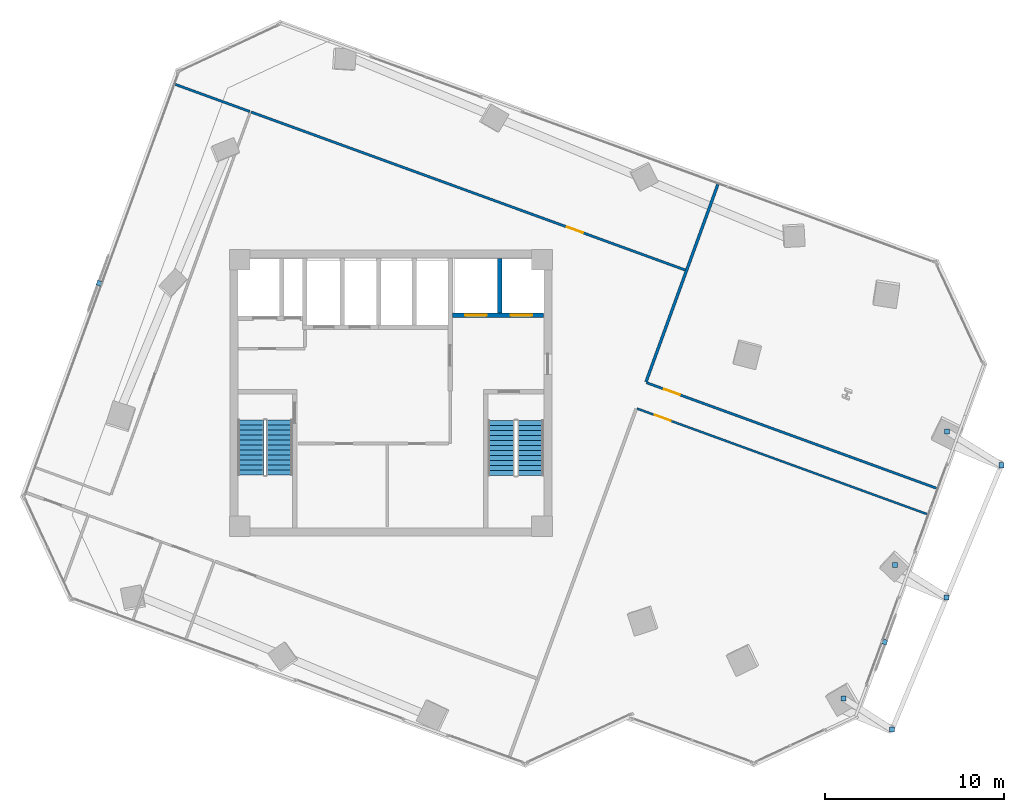
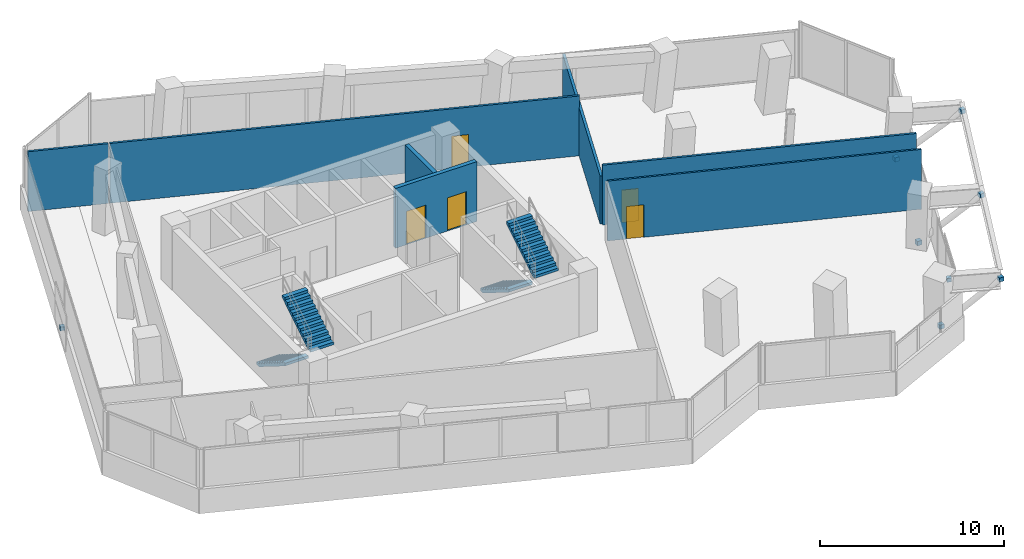
# One storey, part 17 of 21: 8 discrete accessories, 7 walls, 5 doors, 4 stair flights, 5 openings, 2 elements without a shape of their own.
"""IFC4 building model written with IfcOpenShell, lengths in metres."""

from ifc_helpers import new_model, si_unit, direction, frame, frame_2d, origin, origin_2d, place, context, subcontext, project, spatial, polyline, rectangle, outline, extrude, source, transform, mapped, material, layer, layer_set, type_object, element, fill, aggregate, save


model = new_model("IFC4")

# Units and contexts
model_context = context("Model", 3, precision=1e-05, world=origin(), true_north=direction((0.0, 1.0)))
body_context = subcontext(model_context, "Body", "Model", "MODEL_VIEW")
ifc_project = project(units=[si_unit("LENGTHUNIT", "METRE"), si_unit("AREAUNIT", "SQUARE_METRE"), si_unit("VOLUMEUNIT", "CUBIC_METRE"), si_unit("PLANEANGLEUNIT", "RADIAN"), si_unit("MASSUNIT", "GRAM", prefix="KILO")], contexts=[model_context])

# Site, building, storey
site_placement = place(None, origin())
site = spatial("IfcSite", under=ifc_project, at=site_placement, CompositionType="ELEMENT")
building_placement = place(site_placement, origin())
building = spatial("IfcBuilding", under=site, at=building_placement, Name="Torre Montelarca", CompositionType="ELEMENT")
storey_placement = place(building_placement, frame((0.0, 0.0, 137.199951171875)))
storey = spatial("IfcBuildingStorey", under=building, at=storey_placement, Name="L30", CompositionType="ELEMENT", Elevation=137.199951171875)

# Wall, openings, doors
ifc_material_1 = material(Name="Concrete C40/50", Category="concrete")
ifc_layer_1 = layer(ifc_material_1, 0.25, Name="Concrete C40/50", Category="concrete")
ifc_layer_set_1 = layer_set([ifc_layer_1], Name="Concrete C40/50")
wall_type_1 = type_object("IfcWallType", Name="CW-SHAFT-250", PredefinedType="SHEAR", material=ifc_layer_set_1)
wall_1_placement = place(storey_placement, frame((21.449951171875, 36.35009765625, 0.0), z_axis=(0.0, 0.0, 1.0), x_axis=(1.0, 0.0, 0.0)))
wall_1 = element("IfcWall", 1, at=wall_1_placement, inside=storey, type_object=wall_type_1, Name="L30 Core Shear Wall SH-FF-S", PredefinedType="SHEAR", context=body_context, shape_type="SweptSolid", body=[
    extrude(rectangle(XDim=5.090087890625, YDim=0.25, at=frame_2d((2.544921875, 0.0))), origin(), (0.0, 0.0, 1.0), 3.9599609375),
])
opening_1_placement = place(wall_1_placement, frame((0.699951171875, 0.0, 0.0)))
opening_1 = element("IfcOpeningElement", 2, at=opening_1_placement, cuts=wall_1, Name="Opening LD-120", PredefinedType="OPENING", context=body_context, shape_type="SweptSolid", body=[
    extrude(rectangle(XDim=1.199951171875, YDim=2.199951171875, at=frame_2d((0.60009765625, 1.10009765625))), frame((0.0, 0.135009765625, 0.0), z_axis=(0.0, -1.0, 0.0), x_axis=(1.0, 0.0, 0.0)), (0.0, 0.0, 1.0), 0.27001953125),
])
opening_2_placement = place(wall_1_placement, frame((3.25, 0.0, 0.0)))
opening_2 = element("IfcOpeningElement", 3, at=opening_2_placement, cuts=wall_1, Name="Opening LD-120", PredefinedType="OPENING", context=body_context, shape_type="SweptSolid", body=[
    extrude(rectangle(XDim=1.199951171875, YDim=2.199951171875, at=frame_2d((0.60009765625, 1.10009765625))), frame((0.0, 0.135009765625, 0.0), z_axis=(0.0, -1.0, 0.0), x_axis=(1.0, 0.0, 0.0)), (0.0, 0.0, 1.0), 0.27001953125),
])
ifc_material_2 = material(Name="Brushed stainless steel AISI 316", Category="steel")
door_type_1 = type_object("IfcDoorType", Name="DR-LIFT-120", OperationType="SLIDING_TO_RIGHT", PredefinedType="DOOR", material=ifc_material_2)
shared_shape_1 = source(origin(), body_context, "Body", "SweptSolid", [
    extrude(rectangle(XDim=1.199951171875, YDim=2.199951171875, at=frame_2d((0.60009765625, 1.10009765625))), frame((0.0, 0.02490234375, 0.0), z_axis=(0.0, -1.0, 0.0), x_axis=(1.0, 0.0, 0.0)), (0.0, 0.0, 1.0), 0.050048828125),
])
door_1_placement = place(opening_1_placement, origin())
door_1 = element("IfcDoor", 4, at=door_1_placement, inside=storey, type_object=door_type_1, Name="L30 Lift Landing Sliding Door FF-1", OperationType="SLIDING_TO_LEFT", OverallHeight=2.199951171875, OverallWidth=1.199951171875, PredefinedType="DOOR", context=body_context, shape_type="MappedRepresentation", body=[
    mapped(shared_shape_1, transform((0.0, 0.0, 0.0), scale=1.0)),
])
fill(opening_1, door_1)
door_2_placement = place(opening_2_placement, origin())
door_2 = element("IfcDoor", 5, at=door_2_placement, inside=storey, type_object=door_type_1, Name="L30 Lift Landing Sliding Door FF-2", OperationType="SLIDING_TO_RIGHT", OverallHeight=2.199951171875, OverallWidth=1.199951171875, PredefinedType="DOOR", context=body_context, shape_type="MappedRepresentation", body=[
    mapped(shared_shape_1, transform((0.0, 0.0, 0.0), scale=1.0)),
])
fill(opening_2, door_2)

# Walls
wall_2_placement = place(storey_placement, frame((24.080078125, 36.47998046875, 0.0), z_axis=(0.0, 0.0, 1.0), x_axis=(0.0, 1.0, 0.0)))
element("IfcWall", 6, at=wall_2_placement, inside=storey, type_object=wall_type_1, Name="L30 Core Shear Wall SH-FF-M", PredefinedType="SHEAR", context=body_context, shape_type="SweptSolid", body=[
    extrude(rectangle(XDim=3.06005859375, YDim=0.25, at=frame_2d((1.530029296875, 0.0))), origin(), (0.0, 0.0, 1.0), 3.9599609375),
])
ifc_material_3 = material(Name="Gypsum plasterboard on steel stud", Category="steel")
ifc_layer_2 = layer(ifc_material_3, 0.159912109375, Name="Gypsum plasterboard on steel stud", Category="steel")
ifc_layer_set_2 = layer_set([ifc_layer_2], Name="Gypsum plasterboard on steel stud")
wall_type_2 = type_object("IfcWallType", Name="PW-FIRE-160", PredefinedType="PARTITIONING", material=ifc_layer_set_2)
wall_3_placement = place(storey_placement, frame((32.266845703125, 32.635986328125, 0.0), z_axis=(0.0, 0.0, 1.0), x_axis=(0.34200686721, 0.939697452791, 0.0)))
element("IfcWall", 7, at=wall_3_placement, inside=storey, type_object=wall_type_2, Name="L30 Interior Partition W-L30-ECN", PredefinedType="PARTITIONING", context=body_context, shape_type="SweptSolid", body=[
    extrude(rectangle(XDim=11.739990234375, YDim=0.159912109375, at=frame_2d((5.8701171875, 0.0))), origin(), (0.0, 0.0, 1.0), 3.195068359375),
])

# Wall, opening, door
ifc_layer_3 = layer(ifc_material_3, 0.114990234375, Name="Gypsum plasterboard on steel stud", Category="steel")
ifc_layer_set_3 = layer_set([ifc_layer_3], Name="Gypsum plasterboard on steel stud")
wall_type_3 = type_object("IfcWallType", Name="PW-PART-115", PredefinedType="PARTITIONING", material=ifc_layer_set_3)
wall_4_placement = place(storey_placement, frame((31.763916015625, 31.137451171875, 0.0), z_axis=(0.0, 0.0, 1.0), x_axis=(0.939692730905, -0.342019840775, 0.0)))
wall_4 = element("IfcWall", 8, at=wall_4_placement, inside=storey, type_object=wall_type_3, Name="L30 Interior Partition W-L30-SE-N", PredefinedType="PARTITIONING", context=body_context, shape_type="SweptSolid", body=[
    extrude(rectangle(XDim=17.2802734375, YDim=0.114990234375, at=frame_2d((8.64013671875, 0.0))), origin(), (0.0, 0.0, 1.0), 3.9599609375),
])
opening_3_placement = place(wall_4_placement, frame((1.050048828125, 0.0, 0.0)))
opening_3 = element("IfcOpeningElement", 9, at=opening_3_placement, cuts=wall_4, Name="Opening ID-095", PredefinedType="OPENING", context=body_context, shape_type="SweptSolid", body=[
    extrude(rectangle(XDim=0.949951171875, YDim=2.14990234375, at=frame_2d((0.47509765625, 1.074951171875))), frame((0.0, 0.0673828125, 0.0), z_axis=(0.0, -1.0, 0.0), x_axis=(1.0, 0.0, 0.0)), (0.0, 0.0, 1.0), 0.135009765625),
])
ifc_material_4 = material(Name="Hardwood acoustic timber veneer", Category="wood")
door_type_2 = type_object("IfcDoorType", Name="DR-INT-095", OperationType="NOTDEFINED", PredefinedType="DOOR", material=ifc_material_4)
shared_shape_2 = source(origin(), body_context, "Body", "SweptSolid", [
    extrude(rectangle(XDim=0.949951171875, YDim=2.14990234375, at=frame_2d((0.47509765625, 1.074951171875))), frame((0.0, 0.02490234375, 0.0), z_axis=(0.0, -1.0, 0.0), x_axis=(1.0, 0.0, 0.0)), (0.0, 0.0, 1.0), 0.050048828125),
])
door_3_placement = place(opening_3_placement, origin())
door_3 = element("IfcDoor", 10, at=door_3_placement, inside=storey, type_object=door_type_2, Name="L30 Interior Door 11", OperationType="SINGLE_SWING_LEFT", OverallHeight=2.14990234375, OverallWidth=0.949951171875, PredefinedType="DOOR", context=body_context, shape_type="MappedRepresentation", body=[
    mapped(shared_shape_2, transform((0.0, 0.0, 0.0), scale=1.0)),
])
fill(opening_3, door_3)

ifc_layer_4 = layer(ifc_material_3, 0.135009765625, Name="Gypsum plasterboard on steel stud", Category="steel")
ifc_layer_set_4 = layer_set([ifc_layer_4], Name="Gypsum plasterboard on steel stud")
wall_type_4 = type_object("IfcWallType", Name="PW-PART-135", PredefinedType="PARTITIONING", material=ifc_layer_set_4)
wall_5_placement = place(storey_placement, frame((10.18359375, 47.718505859375, 0.0), z_axis=(0.0, 0.0, 1.0), x_axis=(0.939691432235, -0.342023408826, 0.0)))
wall_5 = element("IfcWall", 11, at=wall_5_placement, inside=storey, type_object=wall_type_4, Name="L30 Interior Partition W-L30-NBOT", PredefinedType="PARTITIONING", context=body_context, shape_type="SweptSolid", body=[
    extrude(rectangle(XDim=25.8701171875, YDim=0.135009765625, at=frame_2d((12.93505859375, 0.0))), origin(), (0.0, 0.0, 1.0), 3.9599609375),
])
opening_4_placement = place(wall_5_placement, frame((18.800048828125, 0.0, 0.0)))
opening_4 = element("IfcOpeningElement", 12, at=opening_4_placement, cuts=wall_5, Name="Opening ID-095", PredefinedType="OPENING", context=body_context, shape_type="SweptSolid", body=[
    extrude(rectangle(XDim=0.949951171875, YDim=2.14990234375, at=frame_2d((0.47509765625, 1.074951171875))), frame((0.0, 0.07763671875, 0.0), z_axis=(0.0, -1.0, 0.0), x_axis=(1.0, 0.0, 0.0)), (0.0, 0.0, 1.0), 0.155029296875),
])
door_4_placement = place(opening_4_placement, origin())
door_4 = element("IfcDoor", 13, at=door_4_placement, inside=storey, type_object=door_type_2, Name="L30 Interior Door 08", OperationType="SINGLE_SWING_LEFT", OverallHeight=2.14990234375, OverallWidth=0.949951171875, PredefinedType="DOOR", context=body_context, shape_type="MappedRepresentation", body=[
    mapped(shared_shape_2, transform((0.0, 0.0, 0.0), scale=1.0)),
])
fill(opening_4, door_4)

# Wall
wall_6_placement = place(storey_placement, frame((5.945556640625, 49.260986328125, 0.0), z_axis=(0.0, 0.0, 1.0), x_axis=(0.939693620895, -0.342017395535, 0.0)))
element("IfcWall", 14, at=wall_6_placement, inside=storey, type_object=wall_type_4, Name="L30 Interior Partition W-L30-WWGN", PredefinedType="PARTITIONING", context=body_context, shape_type="SweptSolid", body=[
    extrude(rectangle(XDim=4.429931640625, YDim=0.135009765625, at=frame_2d((2.21484375, 0.0))), origin(), (0.0, 0.0, 1.0), 3.9599609375),
])

# Wall, opening, door
wall_7_placement = place(storey_placement, frame((32.290771484375, 32.584716796875, 0.0), z_axis=(0.0, 0.0, 1.0), x_axis=(0.939691078169, -0.342024381601, 0.0)))
wall_7 = element("IfcWall", 15, at=wall_7_placement, inside=storey, type_object=wall_type_4, Name="L30 Interior Partition W-L30-NE-S", PredefinedType="PARTITIONING", context=body_context, shape_type="SweptSolid", body=[
    extrude(rectangle(XDim=17.280029296875, YDim=0.135009765625, at=frame_2d((8.64013671875, 0.0))), origin(), (0.0, 0.0, 1.0), 3.9599609375),
])
opening_5_placement = place(wall_7_placement, frame((1.050048828125, 0.0, 0.0)))
opening_5 = element("IfcOpeningElement", 16, at=opening_5_placement, cuts=wall_7, Name="Opening ID-095", PredefinedType="OPENING", context=body_context, shape_type="SweptSolid", body=[
    extrude(rectangle(XDim=0.949951171875, YDim=2.14990234375, at=frame_2d((0.47509765625, 1.074951171875))), frame((0.0, 0.07763671875, 0.0), z_axis=(0.0, -1.0, 0.0), x_axis=(1.0, 0.0, 0.0)), (0.0, 0.0, 1.0), 0.155029296875),
])
door_5_placement = place(opening_5_placement, origin())
door_5 = element("IfcDoor", 17, at=door_5_placement, inside=storey, type_object=door_type_2, Name="L30 Interior Door 10", OperationType="SINGLE_SWING_LEFT", OverallHeight=2.14990234375, OverallWidth=0.949951171875, PredefinedType="DOOR", context=body_context, shape_type="MappedRepresentation", body=[
    mapped(shared_shape_2, transform((0.0, 0.0, 0.0), scale=1.0)),
])
fill(opening_5, door_5)

# Stair, stair flights
stair_type_1 = type_object("IfcStairType", Name="ST-CORE-ST1", PredefinedType="HALF_TURN_STAIR", material=ifc_material_1)
stair_1_placement = place(storey_placement, origin())
stair_1 = element("IfcStair", 18, at=stair_1_placement, inside=storey, type_object=stair_type_1, Name="L30 Protected Exit Stair ST1", PredefinedType="HALF_TURN_STAIR")
stair_flight_type_1 = type_object("IfcStairFlightType", Name="SFL-CORE-ST1", PredefinedType="STRAIGHT", material=ifc_material_1)
stair_flight_1_placement = place(storey_placement, frame((10.175048828125, 30.5, 0.0), z_axis=(0.0, 0.0, 1.0), x_axis=(0.0, -1.0, 0.0)))
stair_flight_1 = element("IfcStairFlight", 19, at=stair_flight_1_placement, type_object=stair_flight_type_1, Name="ST1 flight 1", NumberOfRisers=12, NumberOfTreads=11, PredefinedType="STRAIGHT", RiserHeight=0.175, TreadLength=0.28, context=body_context, shape_type="SweptSolid", body=[
    extrude(outline(polyline([(0.0, 0.0), (0.0, 0.175048828125), (0.280029296875, 0.175048828125), (0.280029296875, 0.35009765625), (0.56005859375, 0.35009765625), (0.56005859375, 0.52490234375), (0.840087890625, 0.52490234375), (0.840087890625, 0.699951171875), (1.1201171875, 0.699951171875), (1.1201171875, 0.875), (1.39990234375, 0.875), (1.39990234375, 1.050048828125), (1.679931640625, 1.050048828125), (1.679931640625, 1.22509765625), (1.9599609375, 1.22509765625), (1.9599609375, 1.39990234375), (2.239990234375, 1.39990234375), (2.239990234375, 1.574951171875), (2.52001953125, 1.574951171875), (2.52001953125, 1.75), (2.800048828125, 1.75), (2.800048828125, 1.925048828125), (3.080078125, 1.925048828125), (3.080078125, 2.10009765625), (3.080078125, 1.748291015625), (0.28271484375, 0.0), (0.0, 0.0)])), frame((0.0, 0.72509765625, 0.0), z_axis=(0.0, -1.0, 0.0), x_axis=(1.0, 0.0, 0.0)), (0.0, 0.0, 1.0), 1.449951171875),
])
stair_flight_2_placement = place(storey_placement, frame((11.77490234375, 27.419921875, 2.10009765625), z_axis=(0.0, 0.0, 1.0), x_axis=(0.0, 1.0, 0.0)))
stair_flight_2 = element("IfcStairFlight", 20, at=stair_flight_2_placement, type_object=stair_flight_type_1, Name="ST1 flight 2", NumberOfRisers=12, NumberOfTreads=11, PredefinedType="STRAIGHT", RiserHeight=0.175, TreadLength=0.28, context=body_context, shape_type="SweptSolid", body=[
    extrude(outline(polyline([(0.0, 0.0), (0.0, 0.175048828125), (0.280029296875, 0.175048828125), (0.280029296875, 0.35009765625), (0.56005859375, 0.35009765625), (0.56005859375, 0.52490234375), (0.840087890625, 0.52490234375), (0.840087890625, 0.699951171875), (1.1201171875, 0.699951171875), (1.1201171875, 0.875), (1.39990234375, 0.875), (1.39990234375, 1.050048828125), (1.679931640625, 1.050048828125), (1.679931640625, 1.22509765625), (1.9599609375, 1.22509765625), (1.9599609375, 1.39990234375), (2.239990234375, 1.39990234375), (2.239990234375, 1.574951171875), (2.52001953125, 1.574951171875), (2.52001953125, 1.75), (2.800048828125, 1.75), (2.800048828125, 1.925048828125), (3.080078125, 1.925048828125), (3.080078125, 2.10009765625), (3.080078125, 1.748291015625), (0.28271484375, 0.0), (0.0, 0.0)])), frame((0.0, 0.72509765625, 0.0), z_axis=(0.0, -1.0, 0.0), x_axis=(1.0, 0.0, 0.0)), (0.0, 0.0, 1.0), 1.449951171875),
])
aggregate(stair_1, [stair_flight_1, stair_flight_2])

stair_type_2 = type_object("IfcStairType", Name="ST-CORE-ST2", PredefinedType="HALF_TURN_STAIR", material=ifc_material_1)
stair_2_placement = place(storey_placement, origin())
stair_2 = element("IfcStair", 21, at=stair_2_placement, inside=storey, type_object=stair_type_2, Name="L30 Protected Exit Stair ST2", PredefinedType="HALF_TURN_STAIR")
stair_flight_type_2 = type_object("IfcStairFlightType", Name="SFL-CORE-ST2", PredefinedType="STRAIGHT", material=ifc_material_1)
stair_flight_3_placement = place(storey_placement, frame((24.179931640625, 30.469970703125, 0.0), z_axis=(0.0, 0.0, 1.0), x_axis=(0.0, -1.0, 0.0)))
stair_flight_3 = element("IfcStairFlight", 22, at=stair_flight_3_placement, type_object=stair_flight_type_2, Name="ST2 flight 1", NumberOfRisers=12, NumberOfTreads=11, PredefinedType="STRAIGHT", RiserHeight=0.175, TreadLength=0.28, context=body_context, shape_type="SweptSolid", body=[
    extrude(outline(polyline([(0.0, 0.0), (0.0, 0.175048828125), (0.280029296875, 0.175048828125), (0.280029296875, 0.35009765625), (0.56005859375, 0.35009765625), (0.56005859375, 0.52490234375), (0.840087890625, 0.52490234375), (0.840087890625, 0.699951171875), (1.1201171875, 0.699951171875), (1.1201171875, 0.875), (1.39990234375, 0.875), (1.39990234375, 1.050048828125), (1.679931640625, 1.050048828125), (1.679931640625, 1.22509765625), (1.9599609375, 1.22509765625), (1.9599609375, 1.39990234375), (2.239990234375, 1.39990234375), (2.239990234375, 1.574951171875), (2.52001953125, 1.574951171875), (2.52001953125, 1.75), (2.800048828125, 1.75), (2.800048828125, 1.925048828125), (3.080078125, 1.925048828125), (3.080078125, 2.10009765625), (3.080078125, 1.748291015625), (0.28271484375, 0.0), (0.0, 0.0)])), frame((0.0, 0.739990234375, 0.0), z_axis=(0.0, -1.0, 0.0), x_axis=(1.0, 0.0, 0.0)), (0.0, 0.0, 1.0), 1.47998046875),
])
stair_flight_4_placement = place(storey_placement, frame((25.81005859375, 27.389892578125, 2.10009765625), z_axis=(0.0, 0.0, 1.0), x_axis=(0.0, 1.0, 0.0)))
stair_flight_4 = element("IfcStairFlight", 23, at=stair_flight_4_placement, type_object=stair_flight_type_2, Name="ST2 flight 2", NumberOfRisers=12, NumberOfTreads=11, PredefinedType="STRAIGHT", RiserHeight=0.175, TreadLength=0.28, context=body_context, shape_type="SweptSolid", body=[
    extrude(outline(polyline([(0.0, 0.0), (0.0, 0.175048828125), (0.280029296875, 0.175048828125), (0.280029296875, 0.35009765625), (0.56005859375, 0.35009765625), (0.56005859375, 0.52490234375), (0.840087890625, 0.52490234375), (0.840087890625, 0.699951171875), (1.1201171875, 0.699951171875), (1.1201171875, 0.875), (1.39990234375, 0.875), (1.39990234375, 1.050048828125), (1.679931640625, 1.050048828125), (1.679931640625, 1.22509765625), (1.9599609375, 1.22509765625), (1.9599609375, 1.39990234375), (2.239990234375, 1.39990234375), (2.239990234375, 1.574951171875), (2.52001953125, 1.574951171875), (2.52001953125, 1.75), (2.800048828125, 1.75), (2.800048828125, 1.925048828125), (3.080078125, 1.925048828125), (3.080078125, 2.10009765625), (3.080078125, 1.748291015625), (0.28271484375, 0.0), (0.0, 0.0)])), frame((0.0, 0.739990234375, 0.0), z_axis=(0.0, -1.0, 0.0), x_axis=(1.0, 0.0, 0.0)), (0.0, 0.0, 1.0), 1.47998046875),
])
aggregate(stair_2, [stair_flight_3, stair_flight_4])

# Discrete accessories
ifc_material_5 = material(Name="Stainless steel AISI 316", Category="steel")
discrete_accessory_type = type_object("IfcDiscreteAccessoryType", Name="ACC-BRACKET-SS", PredefinedType="BRACKET", material=ifc_material_5)
shared_shape_3 = source(origin(), body_context, "Body", "SweptSolid", [
    extrude(rectangle(XDim=0.280029296875, YDim=0.280029296875, at=origin_2d()), origin(), (0.0, 0.0, 1.0), 0.280029296875),
])
for number, where, z_axis, x_axis, name in (
    (24, (43.298583984375, 14.939208984375, 0.01025390625), (0.0, 0.0, 1.0), (1.0, 0.0, 0.0), "L31 Raker End Connection Bracket E1-FT"),
    (25, (46.016357421875, 13.185791015625, 3.2451171875), (0.0, 0.0, 1.0), (1.0, 0.0, 0.0), "L31 Raker End Connection Bracket E1-HD"),
    (26, (46.1982421875, 22.3955078125, 0.01025390625), (0.0, 0.0, 1.0), (1.0, 0.0, 0.0), "L31 Raker End Connection Bracket E2-FT"),
    (27, (49.077880859375, 20.576904296875, 3.2451171875), (0.0, 0.0, 1.0), (1.0, 0.0, 0.0), "L31 Raker End Connection Bracket E2-HD"),
    (28, (49.09765625, 29.8515625, 0.01025390625), (0.0, 0.0, 1.0), (1.0, 0.0, 0.0), "L31 Raker End Connection Bracket E3-FT"),
    (29, (52.139404296875, 27.968017578125, 3.2451171875), (0.0, 0.0, 1.0), (1.0, 0.0, 0.0), "L31 Raker End Connection Bracket E3-HD"),
):
    element("IfcDiscreteAccessory", number, at=place(storey_placement, frame(where, z_axis=z_axis, x_axis=x_axis)), inside=storey, type_object=discrete_accessory_type, Name=name, PredefinedType="BRACKET", context=body_context, shape_type="MappedRepresentation", body=[
        mapped(shared_shape_3, transform((0.0, 0.0, 0.0), scale=1.0)),
    ])
shared_shape_4 = source(origin(), body_context, "Body", "SweptSolid", [
    extrude(rectangle(XDim=0.280029296875, YDim=0.260009765625, at=origin_2d()), origin(), (0.0, 0.0, 1.0), 0.239990234375),
])
for number, where, z_axis, x_axis, name in (
    (30, (45.614990234375, 18.08447265625, 0.39990234375), (0.0, 0.0, 1.0), (0.342018503252, 0.939693217722, 0.0), "L30 Solar Screen Support Bracket E6-1"),
    (31, (1.6875, 38.14697265625, 0.39990234375), (0.0, 0.0, 1.0), (-0.342020143326, -0.939692620786, 0.0), "L30 Solar Screen Support Bracket E10-1"),
):
    element("IfcDiscreteAccessory", number, at=place(storey_placement, frame(where, z_axis=z_axis, x_axis=x_axis)), inside=storey, type_object=discrete_accessory_type, Name=name, PredefinedType="BRACKET", context=body_context, shape_type="MappedRepresentation", body=[
        mapped(shared_shape_4, transform((0.0, 0.0, 0.0), scale=1.0)),
    ])

save(model, "model.ifc")
